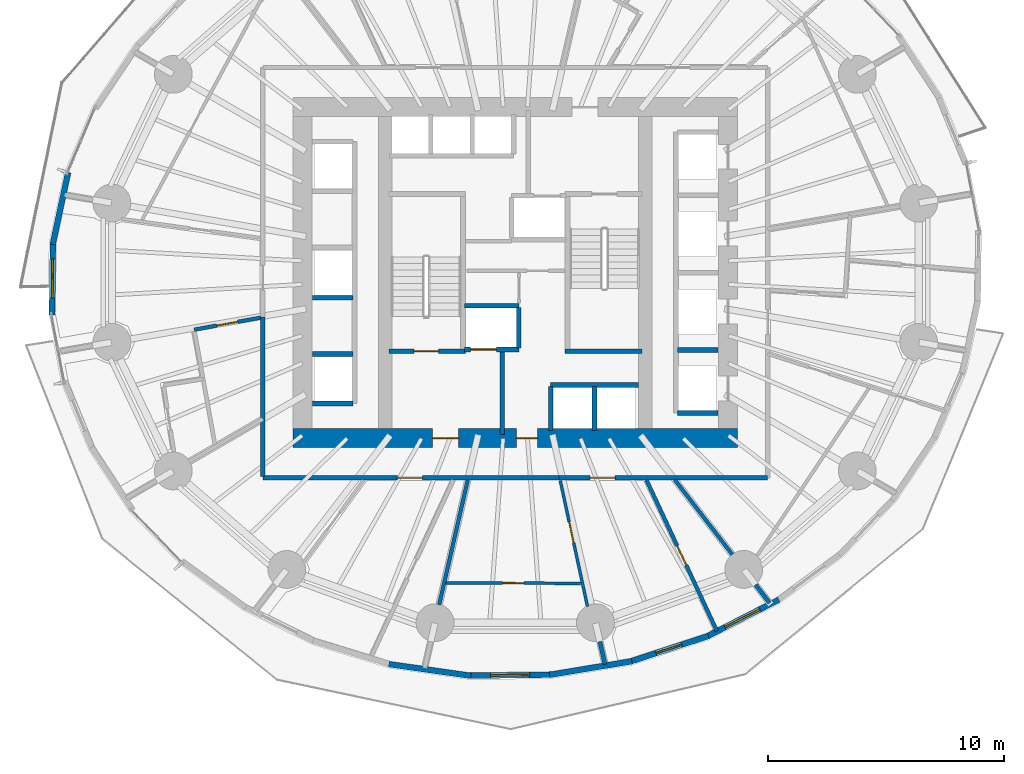
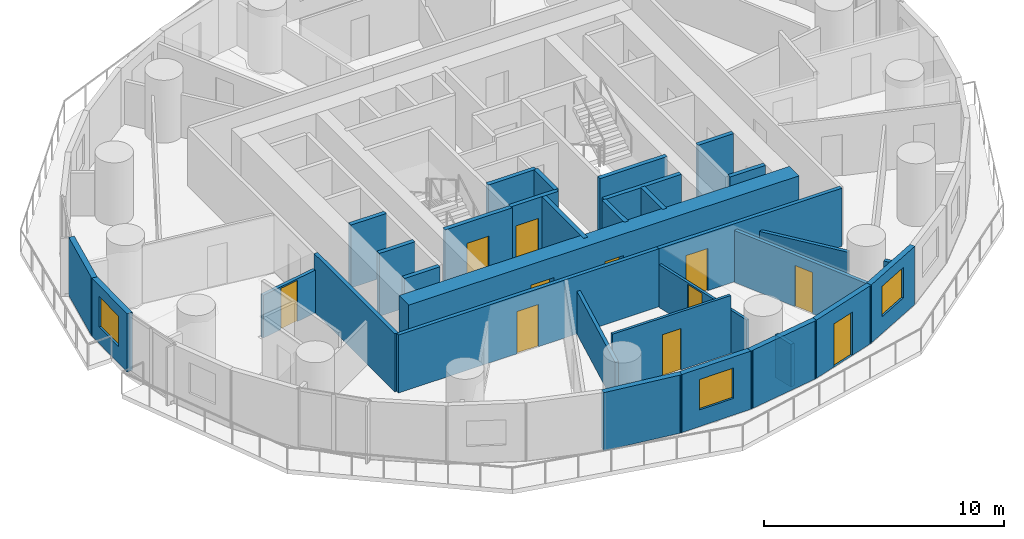
# One storey, part 7 of 14: 33 walls, 11 doors, 3 windows, 14 openings.
"""IFC4 building model written with IfcOpenShell, lengths in metres."""

from ifc_helpers import new_model, si_unit, direction, frame, frame_2d, origin, place, context, subcontext, project, spatial, rectangle, extrude, material, layer, layer_set, type_object, element, fill, save


model = new_model("IFC4")

# Units and contexts
model_context = context("Model", 3, precision=1e-05, world=origin(), true_north=direction((0.0, 1.0)))
body_context = subcontext(model_context, "Body", "Model", "MODEL_VIEW")
ifc_project = project(units=[si_unit("LENGTHUNIT", "METRE"), si_unit("AREAUNIT", "SQUARE_METRE"), si_unit("VOLUMEUNIT", "CUBIC_METRE"), si_unit("PLANEANGLEUNIT", "RADIAN"), si_unit("MASSUNIT", "GRAM", prefix="KILO")], contexts=[model_context])

# Site, building, storey
site_placement = place(None, origin())
site = spatial("IfcSite", under=ifc_project, at=site_placement, CompositionType="ELEMENT")
building_placement = place(site_placement, origin())
building = spatial("IfcBuilding", under=site, at=building_placement, Name="Veldorim Arch Residences", CompositionType="ELEMENT")
storey_placement = place(building_placement, frame((0.0, 0.0, 31.199951171875)))
storey = spatial("IfcBuildingStorey", under=building, at=storey_placement, Name="L08", CompositionType="ELEMENT", Elevation=31.199951171875)

# Wall, opening, door
ifc_material_1 = material(Name="Acoustic Gypsum Board", Category="gypsum")
ifc_layer_1 = layer(ifc_material_1, 0.125, Name="Acoustic Stud Room Partition Wall 125")
ifc_layer_set_1 = layer_set([ifc_layer_1], Name="Acoustic Gypsum Board")
wall_type_1 = type_object("IfcWallType", Name="Acoustic Stud Room Partition Wall 125", PredefinedType="PARTITIONING", material=ifc_layer_set_1)
wall_1_placement = place(storey_placement, frame((35.05419921875, 9.879150390625, 0.0), z_axis=(0.0, 0.0, 1.0), x_axis=(-0.211435796324, 0.977391888667, 0.0)))
wall_1 = element("IfcWall", 1, at=wall_1_placement, inside=storey, type_object=wall_type_1, Name="L08 interior wall WL-RES-L08-013", PredefinedType="PARTITIONING", context=body_context, shape_type="SweptSolid", body=[
    extrude(rectangle(XDim=5.446533203125, YDim=0.125, at=frame_2d((2.72314453125, 0.0))), origin(), (0.0, 0.0, 1.0), 2.17822265625),
])
opening_1_placement = place(wall_1_placement, frame((2.76171875, 0.0, 0.0)))
opening_1 = element("IfcOpeningElement", 2, at=opening_1_placement, cuts=wall_1, Name="Opening DR-INT", PredefinedType="OPENING", context=body_context, shape_type="SweptSolid", body=[
    extrude(rectangle(XDim=0.89990234375, YDim=2.10009765625, at=frame_2d((0.449951171875, 1.050048828125))), frame((0.0, 0.072509765625, 0.0), z_axis=(0.0, -1.0, 0.0), x_axis=(1.0, 0.0, 0.0)), (0.0, 0.0, 1.0), 0.14501953125),
])
ifc_material_2 = material(Name="Engineered Timber", Category="wood")
door_type_1 = type_object("IfcDoorType", Name="Apartment Internal Room Timber Door 900x2100", OperationType="SINGLE_SWING_LEFT", PredefinedType="DOOR", material=ifc_material_2)
door_1_placement = place(opening_1_placement, origin())
door_1 = element("IfcDoor", 3, at=door_1_placement, inside=storey, type_object=door_type_1, Name="L08 interior door DR-RES-L08-006", OperationType="SINGLE_SWING_RIGHT", OverallHeight=2.10009765625, OverallWidth=0.89990234375, PredefinedType="DOOR", context=body_context, shape_type="SweptSolid", body=[
    extrude(rectangle(XDim=0.89990234375, YDim=2.10009765625, at=frame_2d((0.449951171875, 1.050048828125))), frame((0.0, 0.02490234375, 0.0), z_axis=(0.0, -1.0, 0.0), x_axis=(1.0, 0.0, 0.0)), (0.0, 0.0, 1.0), 0.050048828125),
])
fill(opening_1, door_1)

wall_2_placement = place(storey_placement, frame((34.763427734375, 10.853515625, 0.0), z_axis=(0.0, 0.0, 1.0), x_axis=(-0.999989854874, 0.004504458806, 0.0)))
wall_2 = element("IfcWall", 4, at=wall_2_placement, inside=storey, type_object=wall_type_1, Name="L08 interior wall WL-RES-L08-015", PredefinedType="PARTITIONING", context=body_context, shape_type="SweptSolid", body=[
    extrude(rectangle(XDim=5.69091796875, YDim=0.125, at=frame_2d((2.845458984375, 0.0))), origin(), (0.0, 0.0, 1.0), 2.955078125),
])
opening_2_placement = place(wall_2_placement, frame((2.3955078125, 0.0, 0.0)))
opening_2 = element("IfcOpeningElement", 5, at=opening_2_placement, cuts=wall_2, Name="Opening DR-INT", PredefinedType="OPENING", context=body_context, shape_type="SweptSolid", body=[
    extrude(rectangle(XDim=0.89990234375, YDim=2.10009765625, at=frame_2d((0.449951171875, 1.050048828125))), frame((0.0, 0.072509765625, 0.0), z_axis=(0.0, -1.0, 0.0), x_axis=(1.0, 0.0, 0.0)), (0.0, 0.0, 1.0), 0.14501953125),
])
door_2_placement = place(opening_2_placement, origin())
door_2 = element("IfcDoor", 6, at=door_2_placement, inside=storey, type_object=door_type_1, Name="L08 interior door DR-RES-L08-007", OperationType="SINGLE_SWING_LEFT", OverallHeight=2.10009765625, OverallWidth=0.89990234375, PredefinedType="DOOR", context=body_context, shape_type="SweptSolid", body=[
    extrude(rectangle(XDim=0.89990234375, YDim=2.10009765625, at=frame_2d((0.449951171875, 1.050048828125))), frame((0.0, 0.02490234375, 0.0), z_axis=(0.0, -1.0, 0.0), x_axis=(1.0, 0.0, 0.0)), (0.0, 0.0, 1.0), 0.050048828125),
])
fill(opening_2, door_2)

# Walls
ifc_material_3 = material(Name="Lightweight Masonry Block & Gypsum", Category="masonry")
ifc_layer_2 = layer(ifc_material_3, 0.179931640625, Name="Compartment & Corridor Fire-Rated Party Wall 180")
ifc_layer_set_2 = layer_set([ifc_layer_2], Name="Lightweight Masonry Block & Gypsum")
wall_type_2 = type_object("IfcWallType", Name="Compartment & Corridor Fire-Rated Party Wall 180", PredefinedType="PARTITIONING", material=ifc_layer_set_2)
wall_3_placement = place(storey_placement, frame((35.577880859375, 8.390869140625, 0.0), z_axis=(0.0, 0.0, 1.0), x_axis=(0.223200215289, -0.974772621638, 0.0)))
element("IfcWall", 7, at=wall_3_placement, inside=storey, type_object=wall_type_2, Name="L08 interior wall WL-PIER-L08-13", PredefinedType="PARTITIONING", context=body_context, shape_type="SweptSolid", body=[
    extrude(rectangle(XDim=0.98876953125, YDim=0.179931640625, at=frame_2d((0.494384765625, 0.0))), origin(), (0.0, 0.0, 1.0), 2.17822265625),
])
wall_4_placement = place(storey_placement, frame((42.167236328125, 10.795166015625, 0.0), z_axis=(0.0, 0.0, 1.0), x_axis=(0.609953343804, -0.792437327732, 0.0)))
element("IfcWall", 8, at=wall_4_placement, inside=storey, type_object=wall_type_2, Name="L08 interior wall WL-PIER-L08-14", PredefinedType="PARTITIONING", context=body_context, shape_type="SweptSolid", body=[
    extrude(rectangle(XDim=0.97265625, YDim=0.179931640625, at=frame_2d((0.486328125, 0.0))), origin(), (0.0, 0.0, 1.0), 2.17822265625),
])

# Wall, opening, door
wall_5_placement = place(storey_placement, frame((33.897705078125, 15.320068359375, 0.0), z_axis=(0.0, 0.0, 1.0), x_axis=(-1.0, 0.0, 0.0)))
wall_5 = element("IfcWall", 9, at=wall_5_placement, inside=storey, type_object=wall_type_2, Name="L08 interior wall WL-RES-L08-001", PredefinedType="PARTITIONING", context=body_context, shape_type="SweptSolid", body=[
    extrude(rectangle(XDim=12.57763671875, YDim=0.179931640625, at=frame_2d((6.288818359375, 0.0))), origin(), (0.0, 0.0, 1.0), 2.955078125),
])
opening_3_placement = place(wall_5_placement, frame((5.83349609375, 0.0, 0.0)))
opening_3 = element("IfcOpeningElement", 10, at=opening_3_placement, cuts=wall_5, Name="Opening DR-FLT", PredefinedType="OPENING", context=body_context, shape_type="SweptSolid", body=[
    extrude(rectangle(XDim=1.050048828125, YDim=2.14990234375, at=frame_2d((0.52490234375, 1.074951171875))), frame((0.0, 0.099853515625, 0.0), z_axis=(0.0, -1.0, 0.0), x_axis=(1.0, 0.0, 0.0)), (0.0, 0.0, 1.0), 0.199951171875),
])
ifc_material_4 = material(Name="Fire-Rated Timber", Category="wood")
door_type_2 = type_object("IfcDoorType", Name="Apartment Entrance Solid-Core Fire Door 1050x2150", OperationType="SINGLE_SWING_LEFT", PredefinedType="DOOR", material=ifc_material_4)
door_3_placement = place(opening_3_placement, origin())
door_3 = element("IfcDoor", 11, at=door_3_placement, inside=storey, type_object=door_type_2, Name="L08 interior door DR-RES-L08-001", OperationType="SINGLE_SWING_LEFT", OverallHeight=2.14990234375, OverallWidth=1.050048828125, PredefinedType="DOOR", context=body_context, shape_type="SweptSolid", body=[
    extrude(rectangle(XDim=1.050048828125, YDim=2.14990234375, at=frame_2d((0.52490234375, 1.074951171875))), frame((0.0, 0.02490234375, 0.0), z_axis=(0.0, -1.0, 0.0), x_axis=(1.0, 0.0, 0.0)), (0.0, 0.0, 1.0), 0.050048828125),
])
fill(opening_3, door_3)

# Wall
wall_6_placement = place(storey_placement, frame((21.320068359375, 15.3798828125, 0.0), z_axis=(0.0, 0.0, 1.0), x_axis=(0.0, 1.0, 0.0)))
element("IfcWall", 12, at=wall_6_placement, inside=storey, type_object=wall_type_2, Name="L08 interior wall WL-RES-L08-002", PredefinedType="PARTITIONING", context=body_context, shape_type="SweptSolid", body=[
    extrude(rectangle(XDim=6.74853515625, YDim=0.179931640625, at=frame_2d((3.374267578125, 0.0))), origin(), (0.0, 0.0, 1.0), 2.955078125),
])

# Wall, opening, door
wall_7_placement = place(storey_placement, frame((42.679931640625, 15.320068359375, 0.0), z_axis=(0.0, 0.0, 1.0), x_axis=(-1.0, 0.0, 0.0)))
wall_7 = element("IfcWall", 13, at=wall_7_placement, inside=storey, type_object=wall_type_2, Name="L08 interior wall WL-RES-L08-003", PredefinedType="PARTITIONING", context=body_context, shape_type="SweptSolid", body=[
    extrude(rectangle(XDim=8.822509765625, YDim=0.179931640625, at=frame_2d((4.4111328125, 0.0))), origin(), (0.0, 0.0, 1.0), 2.955078125),
])
opening_4_placement = place(wall_7_placement, frame((6.461669921875, 0.0, 0.0)))
opening_4 = element("IfcOpeningElement", 14, at=opening_4_placement, cuts=wall_7, Name="Opening DR-FLT", PredefinedType="OPENING", context=body_context, shape_type="SweptSolid", body=[
    extrude(rectangle(XDim=1.050048828125, YDim=2.14990234375, at=frame_2d((0.52490234375, 1.074951171875))), frame((0.0, 0.099853515625, 0.0), z_axis=(0.0, -1.0, 0.0), x_axis=(1.0, 0.0, 0.0)), (0.0, 0.0, 1.0), 0.199951171875),
])
door_4_placement = place(opening_4_placement, origin())
door_4 = element("IfcDoor", 15, at=door_4_placement, inside=storey, type_object=door_type_2, Name="L08 interior door DR-RES-L08-004", OperationType="SINGLE_SWING_RIGHT", OverallHeight=2.14990234375, OverallWidth=1.050048828125, PredefinedType="DOOR", context=body_context, shape_type="SweptSolid", body=[
    extrude(rectangle(XDim=1.050048828125, YDim=2.14990234375, at=frame_2d((0.52490234375, 1.074951171875))), frame((0.0, 0.02490234375, 0.0), z_axis=(0.0, -1.0, 0.0), x_axis=(1.0, 0.0, 0.0)), (0.0, 0.0, 1.0), 0.050048828125),
])
fill(opening_4, door_4)

ifc_material_5 = material(Name="Concrete C50/60", Category="concrete")
ifc_layer_3 = layer(ifc_material_5, 0.199951171875, Name="Core Stair & Lift Shaft Enclosure Wall 200")
ifc_layer_set_3 = layer_set([ifc_layer_3], Name="Concrete C50/60")
wall_type_3 = type_object("IfcWallType", Name="Core Stair & Lift Shaft Enclosure Wall 200", PredefinedType="SHEAR", material=ifc_layer_set_3)
wall_8_placement = place(storey_placement, frame((26.64990234375, 20.669921875, 0.0), z_axis=(0.0, 0.0, 1.0), x_axis=(1.0, 0.0, 0.0)))
wall_8 = element("IfcWall", 16, at=wall_8_placement, inside=storey, type_object=wall_type_3, Name="L08 shaft wall WL-SHF-L08-ST1-S", PredefinedType="SHEAR", context=body_context, shape_type="SweptSolid", body=[
    extrude(rectangle(XDim=3.239990234375, YDim=0.199951171875, at=frame_2d((1.6201171875, 0.0))), origin(), (0.0, 0.0, 1.0), 3.199951171875),
])
opening_5_placement = place(wall_8_placement, frame((1.054931640625, 0.0, 0.0)))
opening_5 = element("IfcOpeningElement", 17, at=opening_5_placement, cuts=wall_8, Name="Opening DR-ST", PredefinedType="OPENING", context=body_context, shape_type="SweptSolid", body=[
    extrude(rectangle(XDim=1.050048828125, YDim=2.14990234375, at=frame_2d((0.52490234375, 1.074951171875))), frame((0.0, 0.10986328125, 0.0), z_axis=(0.0, -1.0, 0.0), x_axis=(1.0, 0.0, 0.0)), (0.0, 0.0, 1.0), 0.219970703125),
])
ifc_material_6 = material(Name="Fire-Rated Steel", Category="steel")
door_type_3 = type_object("IfcDoorType", Name="Exit Staircase Self-Closing Fire Door 1050x2150", OperationType="SINGLE_SWING_LEFT", PredefinedType="DOOR", material=ifc_material_6)
door_5_placement = place(opening_5_placement, origin())
door_5 = element("IfcDoor", 18, at=door_5_placement, inside=storey, type_object=door_type_3, Name="L08 interior door DR-L08-ST1", OperationType="SINGLE_SWING_LEFT", OverallHeight=2.14990234375, OverallWidth=1.050048828125, PredefinedType="DOOR", context=body_context, shape_type="SweptSolid", body=[
    extrude(rectangle(XDim=1.050048828125, YDim=2.14990234375, at=frame_2d((0.52490234375, 1.074951171875))), frame((0.0, 0.02490234375, 0.0), z_axis=(0.0, -1.0, 0.0), x_axis=(1.0, 0.0, 0.0)), (0.0, 0.0, 1.0), 0.050048828125),
])
fill(opening_5, door_5)

# Walls
wall_9_placement = place(storey_placement, frame((34.110107421875, 20.669921875, 0.0), z_axis=(0.0, 0.0, 1.0), x_axis=(1.0, 0.0, 0.0)))
element("IfcWall", 19, at=wall_9_placement, inside=storey, type_object=wall_type_3, Name="L08 shaft wall WL-SHF-L08-ST2-S", PredefinedType="SHEAR", context=body_context, shape_type="SweptSolid", body=[
    extrude(rectangle(XDim=3.239990234375, YDim=0.199951171875, at=frame_2d((1.6201171875, 0.0))), origin(), (0.0, 0.0, 1.0), 3.199951171875),
])
wall_10_placement = place(storey_placement, frame((31.449951171875, 17.14990234375, 0.0), z_axis=(0.0, 0.0, 1.0), x_axis=(0.0, 1.0, 0.0)))
element("IfcWall", 20, at=wall_10_placement, inside=storey, type_object=wall_type_3, Name="L08 shaft wall WL-FFL1-L08-E", PredefinedType="SHEAR", context=body_context, shape_type="SweptSolid", body=[
    extrude(rectangle(XDim=3.5, YDim=0.199951171875, at=frame_2d((1.75, 0.0))), origin(), (0.0, 0.0, 1.0), 3.199951171875),
])

# Wall, opening, door
wall_11_placement = place(storey_placement, frame((29.85009765625, 20.75, 0.0), z_axis=(0.0, 0.0, 1.0), x_axis=(1.0, 0.0, 0.0)))
wall_11 = element("IfcWall", 21, at=wall_11_placement, inside=storey, type_object=wall_type_3, Name="L08 shaft wall WL-FL01-L08-S", PredefinedType="SHEAR", context=body_context, shape_type="SweptSolid", body=[
    extrude(rectangle(XDim=2.2998046875, YDim=0.199951171875, at=frame_2d((1.14990234375, 0.0))), origin(), (0.0, 0.0, 1.0), 3.199951171875),
])
opening_6_placement = place(wall_11_placement, frame((0.25, 0.0, 0.0)))
opening_6 = element("IfcOpeningElement", 22, at=opening_6_placement, cuts=wall_11, Name="Opening LD-FF", PredefinedType="OPENING", context=body_context, shape_type="SweptSolid", body=[
    extrude(rectangle(XDim=1.10009765625, YDim=2.14990234375, at=frame_2d((0.550048828125, 1.074951171875))), frame((0.0, 0.10986328125, 0.0), z_axis=(0.0, -1.0, 0.0), x_axis=(1.0, 0.0, 0.0)), (0.0, 0.0, 1.0), 0.219970703125),
])
ifc_material_7 = material(Name="Stainless Steel", Category="steel")
door_type_4 = type_object("IfcDoorType", Name="Firefighting Lift Bi-Parting Sliding Landing Door 1100x2150", OperationType="DOUBLE_DOOR_SLIDING", PredefinedType="DOOR", material=ifc_material_7)
door_6_placement = place(opening_6_placement, origin())
door_6 = element("IfcDoor", 23, at=door_6_placement, inside=storey, type_object=door_type_4, Name="L08 lift landing door LD-L08-FL01", OperationType="DOUBLE_DOOR_SLIDING", OverallHeight=2.14990234375, OverallWidth=1.10009765625, PredefinedType="DOOR", context=body_context, shape_type="SweptSolid", body=[
    extrude(rectangle(XDim=1.10009765625, YDim=2.14990234375, at=frame_2d((0.550048828125, 1.074951171875))), frame((0.0, 0.02490234375, 0.0), z_axis=(0.0, -1.0, 0.0), x_axis=(1.0, 0.0, 0.0)), (0.0, 0.0, 1.0), 0.050048828125),
])
fill(opening_6, door_6)

# Walls
wall_12_placement = place(storey_placement, frame((29.85009765625, 22.60009765625, 0.0), z_axis=(0.0, 0.0, 1.0), x_axis=(1.0, 0.0, 0.0)))
element("IfcWall", 24, at=wall_12_placement, inside=storey, type_object=wall_type_3, Name="L08 shaft wall WL-FL01-L08-N", PredefinedType="SHEAR", context=body_context, shape_type="SweptSolid", body=[
    extrude(rectangle(XDim=2.2998046875, YDim=0.199951171875, at=frame_2d((1.14990234375, 0.0))), origin(), (0.0, 0.0, 1.0), 3.199951171875),
])
for number, where, z_axis, x_axis, name in (
    (25, (32.14990234375, 20.820068359375, 0.0), (0.0, 0.0, 1.0), (0.0, 1.0, 0.0), "L08 shaft wall WL-FL01-L08-E"),
    (26, (38.8701171875, 18.06005859375, 0.0), (0.0, 0.0, 1.0), (1.0, 0.0, 0.0), "L08 shaft wall WL-B1-L08-S"),
    (27, (38.8701171875, 20.72509765625, 0.0), (0.0, 0.0, 1.0), (1.0, 0.0, 0.0), "L08 shaft wall WL-B1-L08-D1"),
    (28, (23.419921875, 18.4599609375, 0.0), (0.0, 0.0, 1.0), (1.0, 0.0, 0.0), "L08 shaft wall WL-B2-L08-S"),
    (29, (23.419921875, 20.56005859375, 0.0), (0.0, 0.0, 1.0), (1.0, 0.0, 0.0), "L08 shaft wall WL-B2-L08-D1A"),
    (30, (23.419921875, 22.93994140625, 0.0), (0.0, 0.0, 1.0), (1.0, 0.0, 0.0), "L08 shaft wall WL-B2-L08-D1B"),
):
    element("IfcWall", number, at=place(storey_placement, frame(where, z_axis=z_axis, x_axis=x_axis)), inside=storey, type_object=wall_type_3, Name=name, PredefinedType="SHEAR", context=body_context, shape_type="SweptSolid", body=[
        extrude(rectangle(XDim=1.7099609375, YDim=0.199951171875, at=frame_2d((0.85498046875, 0.0))), origin(), (0.0, 0.0, 1.0), 3.199951171875),
    ])
wall_13_placement = place(storey_placement, frame((33.5, 19.25, 0.0), z_axis=(0.0, 0.0, 1.0), x_axis=(1.0, 0.0, 0.0)))
element("IfcWall", 31, at=wall_13_placement, inside=storey, type_object=wall_type_3, Name="L08 shaft wall WL-OL-L08-N", PredefinedType="SHEAR", context=body_context, shape_type="SweptSolid", body=[
    extrude(rectangle(XDim=3.719970703125, YDim=0.199951171875, at=frame_2d((1.85986328125, 0.0))), origin(), (0.0, 0.0, 1.0), 3.199951171875),
])
for number, where, z_axis, x_axis, name in (
    (32, (33.5, 17.320068359375, 0.0), (0.0, 0.0, 1.0), (0.0, 1.0, 0.0), "L08 shaft wall WL-OL-L08-W"),
    (33, (35.35009765625, 17.320068359375, 0.0), (0.0, 0.0, 1.0), (0.0, 1.0, 0.0), "L08 shaft wall WL-OL-L08-D1"),
):
    element("IfcWall", number, at=place(storey_placement, frame(where, z_axis=z_axis, x_axis=x_axis)), inside=storey, type_object=wall_type_3, Name=name, PredefinedType="SHEAR", context=body_context, shape_type="SweptSolid", body=[
        extrude(rectangle(XDim=1.85986328125, YDim=0.199951171875, at=frame_2d((0.929931640625, 0.0))), origin(), (0.0, 0.0, 1.0), 3.199951171875),
    ])

# Wall, openings, doors
ifc_material_8 = material(Name="Concrete C60/75", Category="concrete")
ifc_layer_4 = layer(ifc_material_8, 0.800048828125, Name="Lower Central Core Shear Wall 800")
ifc_layer_set_4 = layer_set([ifc_layer_4], Name="Concrete C60/75")
wall_type_4 = type_object("IfcWallType", Name="Lower Central Core Shear Wall 800", PredefinedType="SHEAR", material=ifc_layer_set_4)
wall_14_placement = place(storey_placement, frame((22.60009765625, 17.0, 0.0), z_axis=(0.0, 0.0, 1.0), x_axis=(1.0, 0.0, 0.0)))
wall_14 = element("IfcWall", 34, at=wall_14_placement, inside=storey, type_object=wall_type_4, Name="L08 central core south shear wall", PredefinedType="SHEAR", context=body_context, shape_type="SweptSolid", body=[
    extrude(rectangle(XDim=18.7998046875, YDim=0.800048828125, at=frame_2d((9.39990234375, 0.0))), origin(), (0.0, 0.0, 1.0), 3.199951171875),
])
opening_7_placement = place(wall_14_placement, frame((5.89990234375, 0.0, 0.0)))
opening_7 = element("IfcOpeningElement", 35, at=opening_7_placement, cuts=wall_14, Name="Opening DR-FFL", PredefinedType="OPENING", context=body_context, shape_type="SweptSolid", body=[
    extrude(rectangle(XDim=1.10009765625, YDim=2.14990234375, at=frame_2d((0.550048828125, 1.074951171875))), frame((0.0, 0.409912109375, 0.0), z_axis=(0.0, -1.0, 0.0), x_axis=(1.0, 0.0, 0.0)), (0.0, 0.0, 1.0), 0.820068359375),
])
opening_8_placement = place(wall_14_placement, frame((9.449951171875, 0.0, 0.0)))
opening_8 = element("IfcOpeningElement", 36, at=opening_8_placement, cuts=wall_14, Name="Opening DR-SVC", PredefinedType="OPENING", context=body_context, shape_type="SweptSolid", body=[
    extrude(rectangle(XDim=0.89990234375, YDim=2.10009765625, at=frame_2d((0.449951171875, 1.050048828125))), frame((0.0, 0.409912109375, 0.0), z_axis=(0.0, -1.0, 0.0), x_axis=(1.0, 0.0, 0.0)), (0.0, 0.0, 1.0), 0.820068359375),
])
ifc_material_9 = material(Name="Fire-Rated Steel & Vision Glass", Category="steel")
door_type_5 = type_object("IfcDoorType", Name="Firefighting Lobby Smoke-Stop Fire Door 1100x2150", OperationType="SINGLE_SWING_LEFT", PredefinedType="DOOR", material=ifc_material_9)
door_7_placement = place(opening_7_placement, origin())
door_7 = element("IfcDoor", 37, at=door_7_placement, inside=storey, type_object=door_type_5, Name="L08 interior door DR-L08-FFL1", OperationType="SINGLE_SWING_RIGHT", OverallHeight=2.14990234375, OverallWidth=1.10009765625, PredefinedType="DOOR", context=body_context, shape_type="SweptSolid", body=[
    extrude(rectangle(XDim=1.10009765625, YDim=2.14990234375, at=frame_2d((0.550048828125, 1.074951171875))), frame((0.0, 0.02490234375, 0.0), z_axis=(0.0, -1.0, 0.0), x_axis=(1.0, 0.0, 0.0)), (0.0, 0.0, 1.0), 0.050048828125),
])
fill(opening_7, door_7)
ifc_material_10 = material(Name="Fire-Rated Steel", Category="steel")
door_type_6 = type_object("IfcDoorType", Name="Riser, Shelter & Plant Room Rated Steel Door 900x2100", OperationType="SINGLE_SWING_LEFT", PredefinedType="DOOR", material=ifc_material_10)
door_8_placement = place(opening_8_placement, origin())
door_8 = element("IfcDoor", 38, at=door_8_placement, inside=storey, type_object=door_type_6, Name="L08 interior door DR-L08-COR-ANC", OperationType="SINGLE_SWING_LEFT", OverallHeight=2.10009765625, OverallWidth=0.89990234375, PredefinedType="DOOR", context=body_context, shape_type="SweptSolid", body=[
    extrude(rectangle(XDim=0.89990234375, YDim=2.10009765625, at=frame_2d((0.449951171875, 1.050048828125))), frame((0.0, 0.02490234375, 0.0), z_axis=(0.0, -1.0, 0.0), x_axis=(1.0, 0.0, 0.0)), (0.0, 0.0, 1.0), 0.050048828125),
])
fill(opening_8, door_8)

# Wall
ifc_material_11 = material(Name="Precast concrete C40/50", Category="concrete")
ifc_layer_5 = layer(ifc_material_11, 0.25, Name="Tower Terracotta Spandrel & Pier Wall 250")
ifc_layer_set_5 = layer_set([ifc_layer_5], Name="Precast concrete C40/50")
wall_type_5 = type_object("IfcWallType", Name="Tower Terracotta Spandrel & Pier Wall 250", PredefinedType="SOLIDWALL", material=ifc_layer_set_5)
wall_15_placement = place(storey_placement, frame((12.426513671875, 25.19189453125, 0.0), z_axis=(0.0, 0.0, 1.0), x_axis=(0.209668000253, 0.977772637002, 0.0)))
element("IfcWall", 39, at=wall_15_placement, inside=storey, type_object=wall_type_5, Name="L08 terracotta facade wall 17", PredefinedType="SOLIDWALL", context=body_context, shape_type="SweptSolid", body=[
    extrude(rectangle(XDim=3.12060546875, YDim=0.25, at=frame_2d((1.560302734375, 0.0))), origin(), (0.0, 0.0, 1.0), 2.9599609375),
])

# Wall, opening, window
wall_16_placement = place(storey_placement, frame((12.40087890625, 22.214111328125, 0.0), z_axis=(0.0, 0.0, 1.0), x_axis=(0.012397373015, 0.999923149618, 0.0)))
wall_16 = element("IfcWall", 40, at=wall_16_placement, inside=storey, type_object=wall_type_5, Name="L08 terracotta facade wall 18", PredefinedType="SOLIDWALL", context=body_context, shape_type="SweptSolid", body=[
    extrude(rectangle(XDim=3.091796875, YDim=0.25, at=frame_2d((1.5458984375, 0.0))), origin(), (0.0, 0.0, 1.0), 2.9599609375),
])
opening_9_placement = place(wall_16_placement, frame((0.720947265625, 0.0, 0.85009765625)))
opening_9 = element("IfcOpeningElement", 41, at=opening_9_placement, cuts=wall_16, Name="Opening WN-03", PredefinedType="OPENING", context=body_context, shape_type="SweptSolid", body=[
    extrude(rectangle(XDim=1.64990234375, YDim=1.550048828125, at=frame_2d((0.824951171875, 0.77490234375))), frame((0.0, 0.135009765625, 0.0), z_axis=(0.0, -1.0, 0.0), x_axis=(1.0, 0.0, 0.0)), (0.0, 0.0, 1.0), 0.27001953125),
])
ifc_material_12 = material(Name="Laminated Low-E Glass", Category="glass")
window_type = type_object("IfcWindowType", Name="Residential Wide Window 1650x1550", PartitioningType="SINGLE_PANEL", PredefinedType="WINDOW", material=ifc_material_12)
window_1_placement = place(opening_9_placement, origin())
window_1 = element("IfcWindow", 42, at=window_1_placement, inside=storey, type_object=window_type, Name="L08 solar-control facade window 18", OverallHeight=1.550048828125, OverallWidth=1.64990234375, PartitioningType="SINGLE_PANEL", PredefinedType="WINDOW", context=body_context, shape_type="SweptSolid", body=[
    extrude(rectangle(XDim=1.64990234375, YDim=1.550048828125, at=frame_2d((0.824951171875, 0.77490234375))), frame((0.0, 0.030029296875, 0.0), z_axis=(0.0, -1.0, 0.0), x_axis=(1.0, 0.0, 0.0)), (0.0, 0.0, 1.0), 0.06005859375),
])
fill(opening_9, window_1)

# Wall
wall_17_placement = place(storey_placement, frame((30.125244140625, 6.942138671875, 0.0), z_axis=(0.0, 0.0, 1.0), x_axis=(-0.990105954495, 0.140321769067, 0.0)))
element("IfcWall", 43, at=wall_17_placement, inside=storey, type_object=wall_type_5, Name="L08 terracotta facade wall 26", PredefinedType="SOLIDWALL", context=body_context, shape_type="SweptSolid", body=[
    extrude(rectangle(XDim=3.5126953125, YDim=0.25, at=frame_2d((1.75634765625, 0.0))), origin(), (0.0, 0.0, 1.0), 2.9599609375),
])

# Wall, opening, window
wall_18_placement = place(storey_placement, frame((33.554443359375, 6.991943359375, 0.0), z_axis=(0.0, 0.0, 1.0), x_axis=(-0.999927087517, -0.012075580727, 0.0)))
wall_18 = element("IfcWall", 44, at=wall_18_placement, inside=storey, type_object=wall_type_5, Name="L08 terracotta facade wall 27", PredefinedType="SOLIDWALL", context=body_context, shape_type="SweptSolid", body=[
    extrude(rectangle(XDim=3.5380859375, YDim=0.25, at=frame_2d((1.76904296875, 0.0))), origin(), (0.0, 0.0, 1.0), 2.9599609375),
])
opening_10_placement = place(wall_18_placement, frame((0.944091796875, 0.0, 0.85009765625)))
opening_10 = element("IfcOpeningElement", 45, at=opening_10_placement, cuts=wall_18, Name="Opening WN-03", PredefinedType="OPENING", context=body_context, shape_type="SweptSolid", body=[
    extrude(rectangle(XDim=1.64990234375, YDim=1.550048828125, at=frame_2d((0.824951171875, 0.77490234375))), frame((0.0, 0.135009765625, 0.0), z_axis=(0.0, -1.0, 0.0), x_axis=(1.0, 0.0, 0.0)), (0.0, 0.0, 1.0), 0.27001953125),
])
window_2_placement = place(opening_10_placement, origin())
window_2 = element("IfcWindow", 46, at=window_2_placement, inside=storey, type_object=window_type, Name="L08 solar-control facade window 27", OverallHeight=1.550048828125, OverallWidth=1.64990234375, PartitioningType="SINGLE_PANEL", PredefinedType="WINDOW", context=body_context, shape_type="SweptSolid", body=[
    extrude(rectangle(XDim=1.64990234375, YDim=1.550048828125, at=frame_2d((0.824951171875, 0.77490234375))), frame((0.0, 0.030029296875, 0.0), z_axis=(0.0, -1.0, 0.0), x_axis=(1.0, 0.0, 0.0)), (0.0, 0.0, 1.0), 0.06005859375),
])
fill(opening_10, window_2)

# Wall
wall_19_placement = place(storey_placement, frame((36.93701171875, 7.5595703125, 0.0), z_axis=(0.0, 0.0, 1.0), x_axis=(-0.986605703013, -0.16312322576, 0.0)))
element("IfcWall", 47, at=wall_19_placement, inside=storey, type_object=wall_type_5, Name="L08 terracotta facade wall 28", PredefinedType="SOLIDWALL", context=body_context, shape_type="SweptSolid", body=[
    extrude(rectangle(XDim=3.5380859375, YDim=0.25, at=frame_2d((1.76904296875, 0.0))), origin(), (0.0, 0.0, 1.0), 2.9599609375),
])

# Wall, opening, door
wall_20_placement = place(storey_placement, frame((40.16943359375, 8.62744140625, 0.0), z_axis=(0.0, 0.0, 1.0), x_axis=(-0.950290237418, -0.311365484066, 0.0)))
wall_20 = element("IfcWall", 48, at=wall_20_placement, inside=storey, type_object=wall_type_5, Name="L08 terracotta facade wall 29", PredefinedType="SOLIDWALL", context=body_context, shape_type="SweptSolid", body=[
    extrude(rectangle(XDim=3.5126953125, YDim=0.25, at=frame_2d((1.75634765625, 0.0))), origin(), (0.0, 0.0, 1.0), 2.9599609375),
])
opening_11_placement = place(wall_20_placement, frame((1.180908203125, 0.0, 0.0)))
opening_11 = element("IfcOpeningElement", 49, at=opening_11_placement, cuts=wall_20, Name="Opening BL-DR", PredefinedType="OPENING", context=body_context, shape_type="SweptSolid", body=[
    extrude(rectangle(XDim=1.14990234375, YDim=2.199951171875, at=frame_2d((0.574951171875, 1.10009765625))), frame((0.0, 0.135009765625, 0.0), z_axis=(0.0, -1.0, 0.0), x_axis=(1.0, 0.0, 0.0)), (0.0, 0.0, 1.0), 0.27001953125),
])
ifc_material_13 = material(Name="Aluminium & Low-E Glass", Category="aluminium")
door_type_7 = type_object("IfcDoorType", Name="Glazed Planted Balcony Door 1150x2200", OperationType="SINGLE_SWING_LEFT", PredefinedType="DOOR", material=ifc_material_13)
door_9_placement = place(opening_11_placement, origin())
door_9 = element("IfcDoor", 50, at=door_9_placement, inside=storey, type_object=door_type_7, Name="L08 glazed outdoor terrace door BALC-2", OperationType="SINGLE_SWING_LEFT", OverallHeight=2.199951171875, OverallWidth=1.14990234375, PredefinedType="DOOR", context=body_context, shape_type="SweptSolid", body=[
    extrude(rectangle(XDim=1.14990234375, YDim=2.199951171875, at=frame_2d((0.574951171875, 1.10009765625))), frame((0.0, 0.02490234375, 0.0), z_axis=(0.0, -1.0, 0.0), x_axis=(1.0, 0.0, 0.0)), (0.0, 0.0, 1.0), 0.050048828125),
])
fill(opening_11, door_9)

# Wall, opening, window
wall_21_placement = place(storey_placement, frame((43.1533203125, 10.16357421875, 0.0), z_axis=(0.0, 0.0, 1.0), x_axis=(-0.890260122421, -0.455452428281, 0.0)))
wall_21 = element("IfcWall", 51, at=wall_21_placement, inside=storey, type_object=wall_type_5, Name="L08 terracotta facade wall 30", PredefinedType="SOLIDWALL", context=body_context, shape_type="SweptSolid", body=[
    extrude(rectangle(XDim=3.46484375, YDim=0.25, at=frame_2d((1.732421875, 0.0))), origin(), (0.0, 0.0, 1.0), 2.9599609375),
])
opening_12_placement = place(wall_21_placement, frame((0.906982421875, 0.0, 0.85009765625)))
opening_12 = element("IfcOpeningElement", 52, at=opening_12_placement, cuts=wall_21, Name="Opening WN-03", PredefinedType="OPENING", context=body_context, shape_type="SweptSolid", body=[
    extrude(rectangle(XDim=1.64990234375, YDim=1.550048828125, at=frame_2d((0.824951171875, 0.77490234375))), frame((0.0, 0.135009765625, 0.0), z_axis=(0.0, -1.0, 0.0), x_axis=(1.0, 0.0, 0.0)), (0.0, 0.0, 1.0), 0.27001953125),
])
window_3_placement = place(opening_12_placement, origin())
window_3 = element("IfcWindow", 53, at=window_3_placement, inside=storey, type_object=window_type, Name="L08 solar-control facade window 30", OverallHeight=1.550048828125, OverallWidth=1.64990234375, PartitioningType="SINGLE_PANEL", PredefinedType="WINDOW", context=body_context, shape_type="SweptSolid", body=[
    extrude(rectangle(XDim=1.64990234375, YDim=1.550048828125, at=frame_2d((0.824951171875, 0.77490234375))), frame((0.0, 0.030029296875, 0.0), z_axis=(0.0, -1.0, 0.0), x_axis=(1.0, 0.0, 0.0)), (0.0, 0.0, 1.0), 0.06005859375),
])
fill(opening_12, window_3)

# Wall
ifc_material_14 = material(Name="Moisture-Resistant Gypsum & Stud", Category="gypsum")
ifc_layer_6 = layer(ifc_material_14, 0.159912109375, Name="Wet-Area Moisture-Resistant Plumbing Wall 160")
ifc_layer_set_6 = layer_set([ifc_layer_6], Name="Moisture-Resistant Gypsum & Stud")
wall_type_6 = type_object("IfcWallType", Name="Wet-Area Moisture-Resistant Plumbing Wall 160", PredefinedType="PLUMBINGWALL", material=ifc_layer_set_6)
wall_22_placement = place(storey_placement, frame((29.988037109375, 15.222412109375, 0.0), z_axis=(0.0, 0.0, 1.0), x_axis=(-0.223379728565, -0.974731499884, 0.0)))
element("IfcWall", 54, at=wall_22_placement, inside=storey, type_object=wall_type_6, Name="L08 interior wall WL-RES-L08-010", PredefinedType="PLUMBINGWALL", context=body_context, shape_type="SweptSolid", body=[
    extrude(rectangle(XDim=5.4111328125, YDim=0.159912109375, at=frame_2d((2.70556640625, 0.0))), origin(), (0.0, 0.0, 1.0), 2.17822265625),
])

# Wall, opening, door
wall_23_placement = place(storey_placement, frame((37.549560546875, 15.2294921875, 0.0), z_axis=(0.0, 0.0, 1.0), x_axis=(0.422745211231, -0.906248578692, 0.0)))
wall_23 = element("IfcWall", 55, at=wall_23_placement, inside=storey, type_object=wall_type_6, Name="L08 interior wall WL-RES-L08-012", PredefinedType="PLUMBINGWALL", context=body_context, shape_type="SweptSolid", body=[
    extrude(rectangle(XDim=7.052001953125, YDim=0.159912109375, at=frame_2d((3.52587890625, 0.0))), origin(), (0.0, 0.0, 1.0), 2.641357421875),
])
opening_13_placement = place(wall_23_placement, frame((3.075927734375, 0.0, 0.0)))
opening_13 = element("IfcOpeningElement", 56, at=opening_13_placement, cuts=wall_23, Name="Opening DR-WC", PredefinedType="OPENING", context=body_context, shape_type="SweptSolid", body=[
    extrude(rectangle(XDim=0.89990234375, YDim=2.10009765625, at=frame_2d((0.449951171875, 1.050048828125))), frame((0.0, 0.08984375, 0.0), z_axis=(0.0, -1.0, 0.0), x_axis=(1.0, 0.0, 0.0)), (0.0, 0.0, 1.0), 0.179931640625),
])
ifc_material_15 = material(Name="Laminate Timber", Category="wood")
door_type_8 = type_object("IfcDoorType", Name="Bathroom & Accessible WC Moisture-Sealed Door 900x2100", OperationType="SINGLE_SWING_LEFT", PredefinedType="DOOR", material=ifc_material_15)
door_10_placement = place(opening_13_placement, origin())
door_10 = element("IfcDoor", 57, at=door_10_placement, inside=storey, type_object=door_type_8, Name="L08 interior door DR-RES-L08-005", OperationType="SINGLE_SWING_LEFT", OverallHeight=2.10009765625, OverallWidth=0.89990234375, PredefinedType="DOOR", context=body_context, shape_type="SweptSolid", body=[
    extrude(rectangle(XDim=0.89990234375, YDim=2.10009765625, at=frame_2d((0.449951171875, 1.050048828125))), frame((0.0, 0.02490234375, 0.0), z_axis=(0.0, -1.0, 0.0), x_axis=(1.0, 0.0, 0.0)), (0.0, 0.0, 1.0), 0.050048828125),
])
fill(opening_13, door_10)

# Wall
wall_24_placement = place(storey_placement, frame((38.744140625, 15.24072265625, 0.0), z_axis=(0.0, 0.0, 1.0), x_axis=(0.610097434882, -0.792326397358, 0.0)))
element("IfcWall", 58, at=wall_24_placement, inside=storey, type_object=wall_type_6, Name="L08 interior wall WL-RES-L08-014", PredefinedType="PLUMBINGWALL", context=body_context, shape_type="SweptSolid", body=[
    extrude(rectangle(XDim=3.99658203125, YDim=0.159912109375, at=frame_2d((1.998291015625, 0.0))), origin(), (0.0, 0.0, 1.0), 2.17822265625),
])

# Wall, opening, door
wall_25_placement = place(storey_placement, frame((21.2216796875, 22.092529296875, 0.0), z_axis=(0.0, 0.0, 1.0), x_axis=(-0.984110100035, -0.177559316875, 0.0)))
wall_25 = element("IfcWall", 59, at=wall_25_placement, inside=storey, type_object=wall_type_6, Name="L08 interior wall WL-RES-L08-035", PredefinedType="PLUMBINGWALL", context=body_context, shape_type="SweptSolid", body=[
    extrude(rectangle(XDim=2.851806640625, YDim=0.159912109375, at=frame_2d((1.42578125, 0.0))), origin(), (0.0, 0.0, 1.0), 2.17822265625),
])
opening_14_placement = place(wall_25_placement, frame((0.975830078125, 0.0, 0.0)))
opening_14 = element("IfcOpeningElement", 60, at=opening_14_placement, cuts=wall_25, Name="Opening DR-INT", PredefinedType="OPENING", context=body_context, shape_type="SweptSolid", body=[
    extrude(rectangle(XDim=0.89990234375, YDim=2.10009765625, at=frame_2d((0.449951171875, 1.050048828125))), frame((0.0, 0.08984375, 0.0), z_axis=(0.0, -1.0, 0.0), x_axis=(1.0, 0.0, 0.0)), (0.0, 0.0, 1.0), 0.179931640625),
])
door_11_placement = place(opening_14_placement, origin())
door_11 = element("IfcDoor", 61, at=door_11_placement, inside=storey, type_object=door_type_1, Name="L08 interior door DR-RES-L08-026", OperationType="SINGLE_SWING_RIGHT", OverallHeight=2.10009765625, OverallWidth=0.89990234375, PredefinedType="DOOR", context=body_context, shape_type="SweptSolid", body=[
    extrude(rectangle(XDim=0.89990234375, YDim=2.10009765625, at=frame_2d((0.449951171875, 1.050048828125))), frame((0.0, 0.02490234375, 0.0), z_axis=(0.0, -1.0, 0.0), x_axis=(1.0, 0.0, 0.0)), (0.0, 0.0, 1.0), 0.050048828125),
])
fill(opening_14, door_11)

save(model, "model.ifc")
